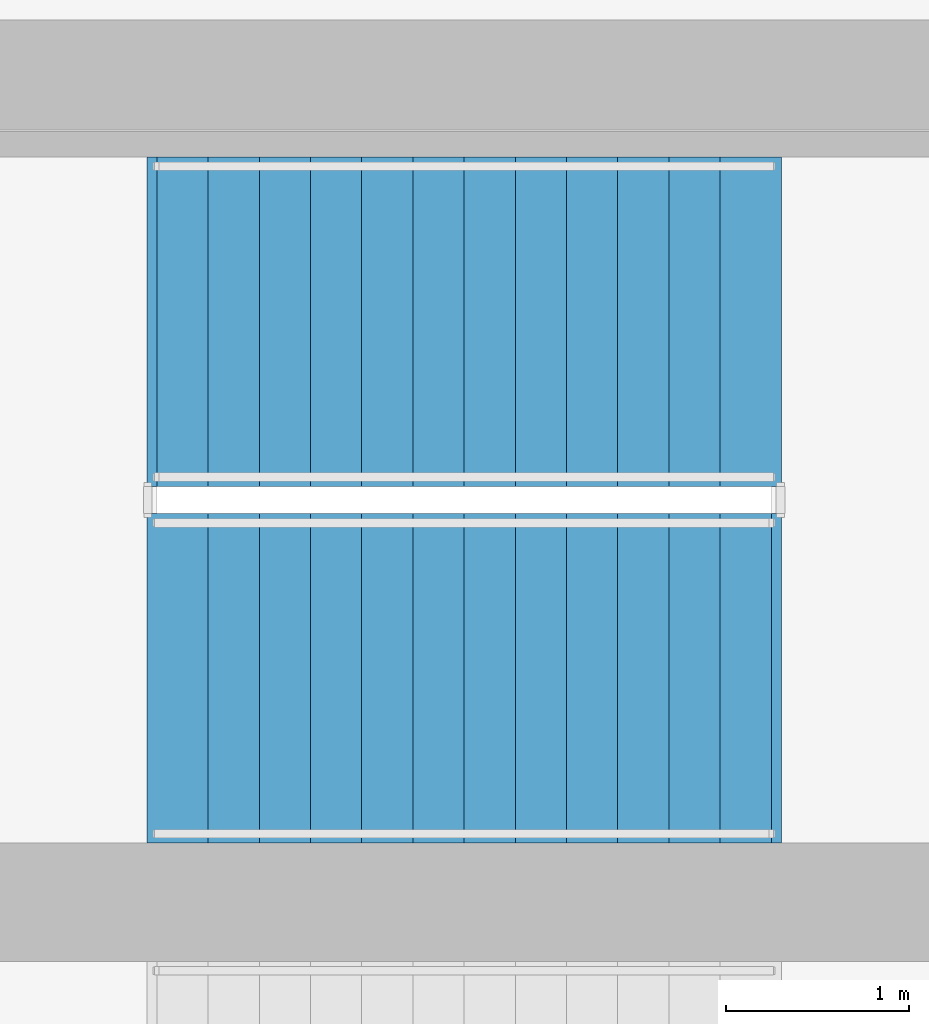
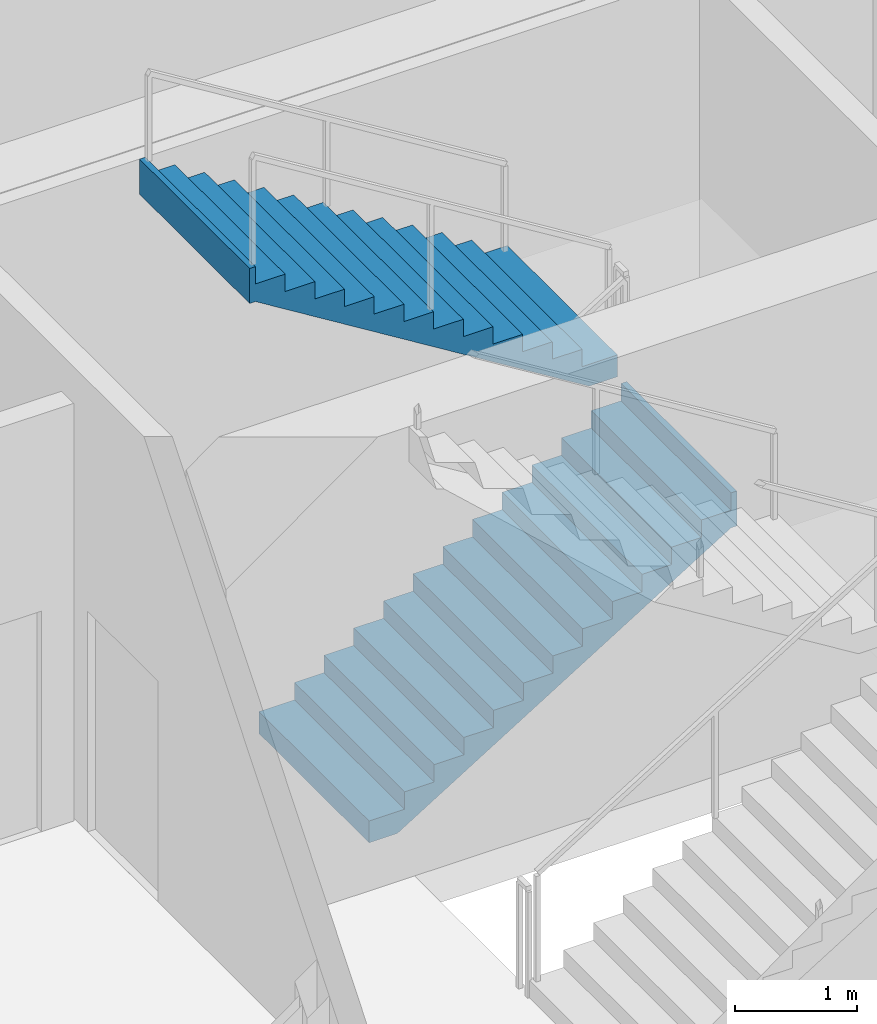
# One storey, part 5 of 10: 2 stair flights, 1 element without a shape of its own.
"""IFC4 building model written with IfcOpenShell, lengths in metres."""

from ifc_helpers import new_model, si_unit, direction, frame, origin, place, context, subcontext, project, spatial, polyline, outline, extrude, material, type_object, element, aggregate, save


model = new_model("IFC4")

# Units and contexts
model_context = context("Model", 3, precision=1e-05, world=origin(), true_north=direction((0.0, 1.0)))
body_context = subcontext(model_context, "Body", "Model", "MODEL_VIEW")
ifc_project = project(units=[si_unit("LENGTHUNIT", "METRE"), si_unit("AREAUNIT", "SQUARE_METRE"), si_unit("VOLUMEUNIT", "CUBIC_METRE"), si_unit("PLANEANGLEUNIT", "RADIAN"), si_unit("MASSUNIT", "GRAM", prefix="KILO")], contexts=[model_context])

# Site, building, storey
site_placement = place(None, origin())
site = spatial("IfcSite", under=ifc_project, at=site_placement, CompositionType="ELEMENT")
building_placement = place(site_placement, origin())
building = spatial("IfcBuilding", under=site, at=building_placement, Name="Caeloran Harvest Quay", CompositionType="ELEMENT")
storey_placement = place(building_placement, frame((0.0, 0.0, -4.5)))
storey = spatial("IfcBuildingStorey", under=building, at=storey_placement, Name="B01", CompositionType="ELEMENT", Elevation=-4.5)

# Stair, stair flights
ifc_material = material(Name="Concrete C50/60", Category="concrete")
stair_type = type_object("IfcStairType", Name="STAIR-STC-180", PredefinedType="HALF_TURN_STAIR", material=ifc_material)
stair_placement = place(storey_placement, origin())
stair = element("IfcStair", 1, at=stair_placement, inside=storey, type_object=stair_type, Name="B01 Core Pressurized Exit Stair ST-C1", PredefinedType="HALF_TURN_STAIR")
stair_flight_type = type_object("IfcStairFlightType", Name="FLIGHT-STC-180", PredefinedType="STRAIGHT", material=ifc_material)
stair_flight_1_placement = place(storey_placement, frame((15.89990234375, 37.39990234375, 0.0), z_axis=(0.0, 0.0, 1.0), x_axis=(1.0, 0.0, 0.0)))
stair_flight_1 = element("IfcStairFlight", 2, at=stair_flight_1_placement, type_object=stair_flight_type, Name="ST-C1 flight 1", NumberOfRisers=13, NumberOfTreads=12, PredefinedType="STRAIGHT", RiserHeight=0.173076923, TreadLength=0.28, context=body_context, shape_type="SweptSolid", body=[
    extrude(outline(polyline([(-0.054931640625, -0.044921875), (-0.054931640625, -0.03125), (-0.054931640625, -0.017822265625), (-0.054931640625, -0.004150390625), (-0.054931640625, 0.009521484375), (-0.054931640625, 0.023193359375), (-0.054931640625, 0.036865234375), (-0.054931640625, 0.05029296875), (-0.054931640625, 0.06396484375), (-0.054931640625, 0.07763671875), (-0.054931640625, 0.09130859375), (-0.054931640625, 0.10498046875), (-0.054931640625, 0.11865234375), (-0.054931640625, 0.132080078125), (-0.054931640625, 0.145751953125), (-0.054931640625, 0.159423828125), (-0.054931640625, 0.173095703125), (0.280029296875, 0.173095703125), (0.280029296875, 0.34619140625), (0.56005859375, 0.34619140625), (0.56005859375, 0.519287109375), (0.840087890625, 0.519287109375), (0.840087890625, 0.6923828125), (1.1201171875, 0.6923828125), (1.1201171875, 0.865478515625), (1.39990234375, 0.865478515625), (1.39990234375, 1.03857421875), (1.679931640625, 1.03857421875), (1.679931640625, 1.21142578125), (1.9599609375, 1.21142578125), (1.9599609375, 1.384521484375), (2.239990234375, 1.384521484375), (2.239990234375, 1.5576171875), (2.52001953125, 1.5576171875), (2.52001953125, 1.730712890625), (2.800048828125, 1.730712890625), (2.800048828125, 1.90380859375), (3.080078125, 1.90380859375), (3.080078125, 2.076904296875), (3.360107421875, 2.076904296875), (3.360107421875, 2.25), (3.4150390625, 2.25), (3.4150390625, 2.228271484375), (3.4150390625, 2.206298828125), (3.4150390625, 2.1845703125), (3.4150390625, 2.16259765625), (3.4150390625, 2.140869140625), (3.4150390625, 2.118896484375), (3.4150390625, 2.09716796875), (3.4150390625, 2.075439453125), (3.4150390625, 2.053466796875), (3.4150390625, 2.03173828125), (3.4150390625, 2.009765625), (3.4150390625, 1.988037109375), (3.4150390625, 1.96630859375), (3.4150390625, 1.9443359375), (3.4150390625, 1.922607421875), (3.4150390625, 1.900634765625), (3.360107421875, 1.900634765625), (0.21240234375, -0.044921875), (-0.054931640625, -0.044921875)])), frame((0.0, 0.89990234375, 0.0), z_axis=(0.0, -1.0, 0.0), x_axis=(1.0, 0.0, 0.0)), (0.0, 0.0, 1.0), 1.800048828125),
])
stair_flight_2_placement = place(storey_placement, frame((19.260009765625, 39.35009765625, 2.25), z_axis=(0.0, 0.0, 1.0), x_axis=(-1.0, 0.0, 0.0)))
stair_flight_2 = element("IfcStairFlight", 3, at=stair_flight_2_placement, type_object=stair_flight_type, Name="ST-C1 flight 2", NumberOfRisers=13, NumberOfTreads=12, PredefinedType="STRAIGHT", RiserHeight=0.173076923, TreadLength=0.28, context=body_context, shape_type="SweptSolid", body=[
    extrude(outline(polyline([(-0.054931640625, -0.044921875), (-0.054931640625, -0.03125), (-0.054931640625, -0.017822265625), (-0.054931640625, -0.004150390625), (-0.054931640625, 0.009521484375), (-0.054931640625, 0.023193359375), (-0.054931640625, 0.036865234375), (-0.054931640625, 0.05029296875), (-0.054931640625, 0.06396484375), (-0.054931640625, 0.07763671875), (-0.054931640625, 0.09130859375), (-0.054931640625, 0.10498046875), (-0.054931640625, 0.11865234375), (-0.054931640625, 0.132080078125), (-0.054931640625, 0.145751953125), (-0.054931640625, 0.159423828125), (-0.054931640625, 0.173095703125), (0.280029296875, 0.173095703125), (0.280029296875, 0.34619140625), (0.56005859375, 0.34619140625), (0.56005859375, 0.519287109375), (0.840087890625, 0.519287109375), (0.840087890625, 0.6923828125), (1.1201171875, 0.6923828125), (1.1201171875, 0.865478515625), (1.39990234375, 0.865478515625), (1.39990234375, 1.03857421875), (1.679931640625, 1.03857421875), (1.679931640625, 1.21142578125), (1.9599609375, 1.21142578125), (1.9599609375, 1.384521484375), (2.239990234375, 1.384521484375), (2.239990234375, 1.5576171875), (2.52001953125, 1.5576171875), (2.52001953125, 1.730712890625), (2.800048828125, 1.730712890625), (2.800048828125, 1.90380859375), (3.080078125, 1.90380859375), (3.080078125, 2.076904296875), (3.360107421875, 2.076904296875), (3.360107421875, 2.25), (3.4150390625, 2.25), (3.4150390625, 2.228271484375), (3.4150390625, 2.206298828125), (3.4150390625, 2.1845703125), (3.4150390625, 2.16259765625), (3.4150390625, 2.140869140625), (3.4150390625, 2.118896484375), (3.4150390625, 2.09716796875), (3.4150390625, 2.075439453125), (3.4150390625, 2.053466796875), (3.4150390625, 2.03173828125), (3.4150390625, 2.009765625), (3.4150390625, 1.988037109375), (3.4150390625, 1.96630859375), (3.4150390625, 1.9443359375), (3.4150390625, 1.922607421875), (3.4150390625, 1.900634765625), (3.360107421875, 1.900634765625), (0.21240234375, -0.044921875), (-0.054931640625, -0.044921875)])), frame((0.0, 0.89990234375, 0.0), z_axis=(0.0, -1.0, 0.0), x_axis=(1.0, 0.0, 0.0)), (0.0, 0.0, 1.0), 1.800048828125),
])
aggregate(stair, [stair_flight_1, stair_flight_2])

save(model, "model.ifc")
